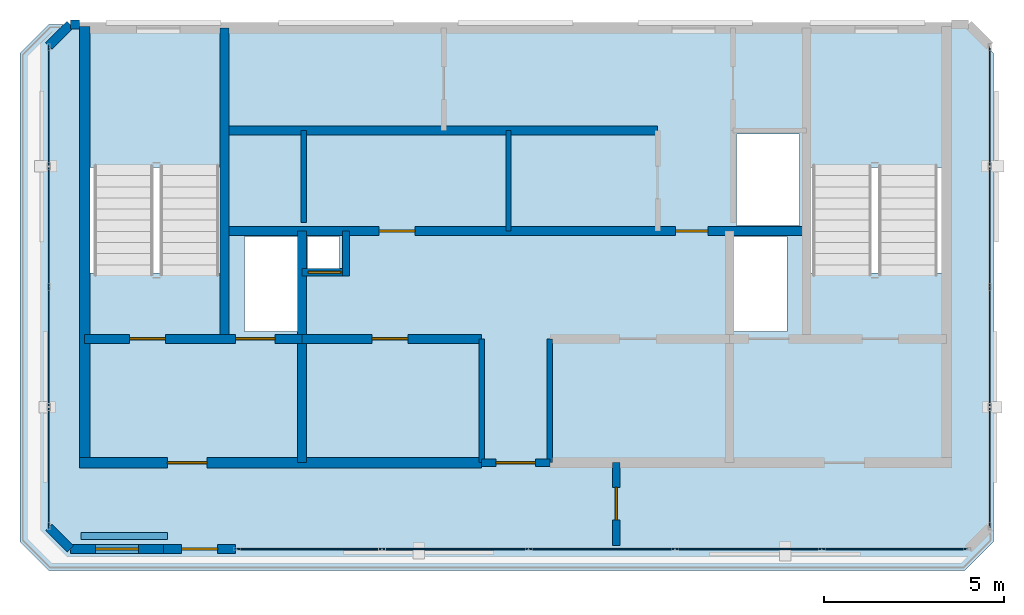
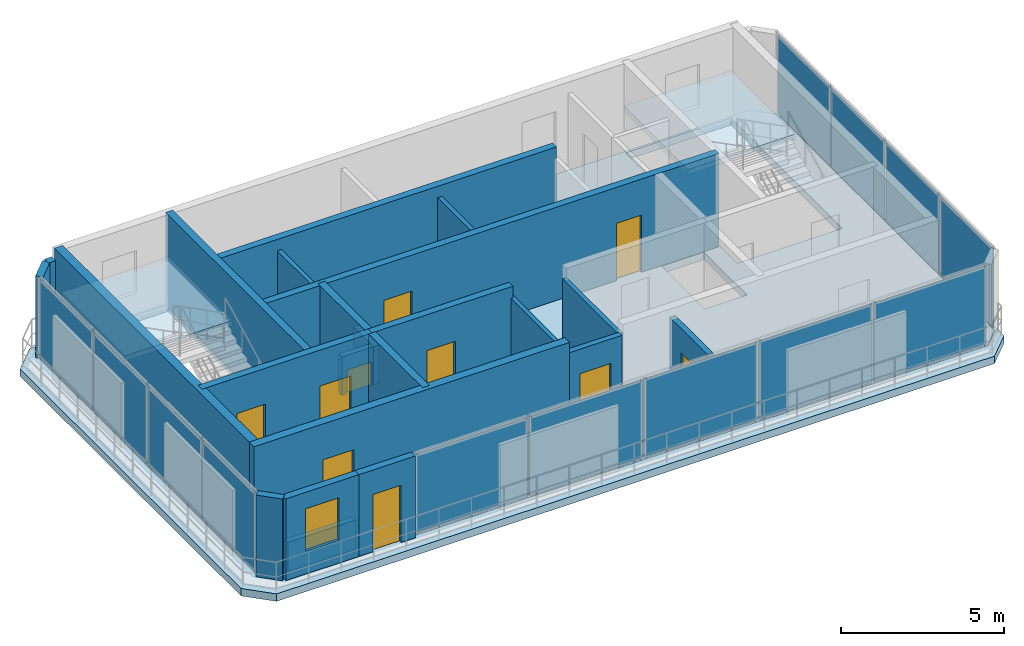
# One storey, part 5 of 7: 22 walls, 13 plates, 10 doors, 4 slabs, 1 window, 11 openings, 5 elements without a shape of their own.
"""IFC4 building model written with IfcOpenShell, lengths in metres."""

from ifc_helpers import new_model, si_unit, direction, frame, frame_2d, origin, origin_2d, place, context, subcontext, project, spatial, polyline, rectangle, outline, extrude, material, layer, layer_set, type_object, element, fill, aggregate, save


model = new_model("IFC4")

# Units and contexts
model_context = context("Model", 3, precision=1e-05, world=origin(), true_north=direction((0.0, 1.0)))
body_context = subcontext(model_context, "Body", "Model", "MODEL_VIEW")
ifc_project = project(units=[si_unit("LENGTHUNIT", "METRE"), si_unit("AREAUNIT", "SQUARE_METRE"), si_unit("VOLUMEUNIT", "CUBIC_METRE"), si_unit("PLANEANGLEUNIT", "RADIAN"), si_unit("MASSUNIT", "GRAM", prefix="KILO")], contexts=[model_context])

# Site, building, storey
site_placement = place(None, origin())
site = spatial("IfcSite", under=ifc_project, at=site_placement, CompositionType="ELEMENT")
building_placement = place(site_placement, origin())
building = spatial("IfcBuilding", under=site, at=building_placement, Name="Catumbela Crestline Tower", CompositionType="ELEMENT")
storey_placement = place(building_placement, frame((0.0, 0.0, 315.0)))
storey = spatial("IfcBuildingStorey", under=building, at=storey_placement, Name="L81", CompositionType="ELEMENT", Elevation=315.0)

# Curtain wall, plates
ifc_material_1 = material(Name="Aluminium alloy AW-6060-T66", Category="aluminium")
ifc_layer_1 = layer(ifc_material_1, 0.18, Name="Aluminium alloy AW-6060-T66")
ifc_layer_set_1 = layer_set([ifc_layer_1], Name="Aluminium alloy AW-6060-T66")
curtain_wall_type = type_object("IfcCurtainWallType", Name="CWS-OBS", PredefinedType="USERDEFINED", material=ifc_layer_set_1)
curtain_wall_1_placement = place(storey_placement, origin())
curtain_wall_1 = element("IfcCurtainWall", 1, at=curtain_wall_1_placement, inside=storey, type_object=curtain_wall_type, Name="L81 Stick Curtain Wall CW-L81-E0S2", ObjectType="STICK", PredefinedType="USERDEFINED")
ifc_material_2 = material(Name="Low-E laminated solar-control double glazing", Category="glass")
ifc_layer_2 = layer(ifc_material_2, 0.036, Name="Low-E laminated solar-control double glazing")
ifc_layer_set_2 = layer_set([ifc_layer_2], Name="Low-E laminated solar-control double glazing")
plate_type = type_object("IfcPlateType", Name="PNL-GLZ-OB", PredefinedType="CURTAIN_PANEL", material=ifc_layer_set_2)
plate_1_placement = place(storey_placement, frame((22.2562, 28.4, 0.06), z_axis=(0.0, 0.0, 1.0), x_axis=(1.0, 0.0, 0.0)))
plate_1 = element("IfcPlate", 2, at=plate_1_placement, type_object=plate_type, Name="CWS-OBS panel 1.1", PredefinedType="CURTAIN_PANEL", context=body_context, shape_type="SweptSolid", body=[
    extrude(rectangle(XDim=3.9825, YDim=0.034, at=origin_2d()), origin(), (0.0, 0.0, 1.0), 2.95),
])
plate_2_placement = place(storey_placement, frame((26.32, 28.4, 0.06), z_axis=(0.0, 0.0, 1.0), x_axis=(1.0, 0.0, 0.0)))
plate_2 = element("IfcPlate", 3, at=plate_2_placement, type_object=plate_type, Name="CWS-OBS panel 2.1", PredefinedType="CURTAIN_PANEL", context=body_context, shape_type="SweptSolid", body=[
    extrude(rectangle(XDim=4.015, YDim=0.034, at=origin_2d()), origin(), (0.0, 0.0, 1.0), 2.95),
])
plate_3_placement = place(storey_placement, frame((30.4, 28.4, 0.06), z_axis=(0.0, 0.0, 1.0), x_axis=(1.0, 0.0, 0.0)))
plate_3 = element("IfcPlate", 4, at=plate_3_placement, type_object=plate_type, Name="CWS-OBS panel 3.1", PredefinedType="CURTAIN_PANEL", context=body_context, shape_type="SweptSolid", body=[
    extrude(rectangle(XDim=4.015, YDim=0.034, at=origin_2d()), origin(), (0.0, 0.0, 1.0), 2.95),
])
plate_4_placement = place(storey_placement, frame((34.48, 28.4, 0.06), z_axis=(0.0, 0.0, 1.0), x_axis=(1.0, 0.0, 0.0)))
plate_4 = element("IfcPlate", 5, at=plate_4_placement, type_object=plate_type, Name="CWS-OBS panel 4.1", PredefinedType="CURTAIN_PANEL", context=body_context, shape_type="SweptSolid", body=[
    extrude(rectangle(XDim=4.015, YDim=0.034, at=origin_2d()), origin(), (0.0, 0.0, 1.0), 2.95),
])
plate_5_placement = place(storey_placement, frame((38.5438, 28.4, 0.06), z_axis=(0.0, 0.0, 1.0), x_axis=(1.0, 0.0, 0.0)))
plate_5 = element("IfcPlate", 6, at=plate_5_placement, type_object=plate_type, Name="CWS-OBS panel 5.1", PredefinedType="CURTAIN_PANEL", context=body_context, shape_type="SweptSolid", body=[
    extrude(rectangle(XDim=3.9825, YDim=0.034, at=origin_2d()), origin(), (0.0, 0.0, 1.0), 2.95),
])
aggregate(curtain_wall_1, [plate_1, plate_2, plate_3, plate_4, plate_5])

curtain_wall_2_placement = place(storey_placement, origin())
curtain_wall_2 = element("IfcCurtainWall", 7, at=curtain_wall_2_placement, inside=storey, type_object=curtain_wall_type, Name="L81 Stick Curtain Wall CW-L81-E2S1", ObjectType="STICK", PredefinedType="USERDEFINED")
plate_6_placement = place(storey_placement, frame((41.2, 30.6912, 0.06), z_axis=(0.0, 0.0, 1.0), x_axis=(0.0, 1.0, 0.0)))
plate_6 = element("IfcPlate", 8, at=plate_6_placement, type_object=plate_type, Name="CWS-OBS panel 1.1", PredefinedType="CURTAIN_PANEL", context=body_context, shape_type="SweptSolid", body=[
    extrude(rectangle(XDim=3.2525, YDim=0.034, at=origin_2d()), origin(), (0.0, 0.0, 1.0), 2.95),
])
plate_7_placement = place(storey_placement, frame((41.2, 34.025, 0.06), z_axis=(0.0, 0.0, 1.0), x_axis=(0.0, 1.0, 0.0)))
plate_7 = element("IfcPlate", 9, at=plate_7_placement, type_object=plate_type, Name="CWS-OBS panel 2.1", PredefinedType="CURTAIN_PANEL", context=body_context, shape_type="SweptSolid", body=[
    extrude(rectangle(XDim=3.285, YDim=0.034, at=origin_2d()), origin(), (0.0, 0.0, 1.0), 2.95),
])
plate_8_placement = place(storey_placement, frame((41.2, 37.375, 0.06), z_axis=(0.0, 0.0, 1.0), x_axis=(0.0, 1.0, 0.0)))
plate_8 = element("IfcPlate", 10, at=plate_8_placement, type_object=plate_type, Name="CWS-OBS panel 3.1", PredefinedType="CURTAIN_PANEL", context=body_context, shape_type="SweptSolid", body=[
    extrude(rectangle(XDim=3.285, YDim=0.034, at=origin_2d()), origin(), (0.0, 0.0, 1.0), 2.95),
])
plate_9_placement = place(storey_placement, frame((41.2, 40.7088, 0.06), z_axis=(0.0, 0.0, 1.0), x_axis=(0.0, 1.0, 0.0)))
plate_9 = element("IfcPlate", 11, at=plate_9_placement, type_object=plate_type, Name="CWS-OBS panel 4.1", PredefinedType="CURTAIN_PANEL", context=body_context, shape_type="SweptSolid", body=[
    extrude(rectangle(XDim=3.2525, YDim=0.034, at=origin_2d()), origin(), (0.0, 0.0, 1.0), 2.95),
])
aggregate(curtain_wall_2, [plate_6, plate_7, plate_8, plate_9])

curtain_wall_3_placement = place(storey_placement, origin())
curtain_wall_3 = element("IfcCurtainWall", 12, at=curtain_wall_3_placement, inside=storey, type_object=curtain_wall_type, Name="L81 Stick Curtain Wall CW-L81-E6S1", ObjectType="STICK", PredefinedType="USERDEFINED")
plate_10_placement = place(storey_placement, frame((15.0, 40.7088, 0.06), z_axis=(0.0, 0.0, 1.0), x_axis=(0.0, -1.0, 0.0)))
plate_10 = element("IfcPlate", 13, at=plate_10_placement, type_object=plate_type, Name="CWS-OBS panel 1.1", PredefinedType="CURTAIN_PANEL", context=body_context, shape_type="SweptSolid", body=[
    extrude(rectangle(XDim=3.2525, YDim=0.034, at=origin_2d()), origin(), (0.0, 0.0, 1.0), 2.95),
])
plate_11_placement = place(storey_placement, frame((15.0, 37.375, 0.06), z_axis=(0.0, 0.0, 1.0), x_axis=(0.0, -1.0, 0.0)))
plate_11 = element("IfcPlate", 14, at=plate_11_placement, type_object=plate_type, Name="CWS-OBS panel 2.1", PredefinedType="CURTAIN_PANEL", context=body_context, shape_type="SweptSolid", body=[
    extrude(rectangle(XDim=3.285, YDim=0.034, at=origin_2d()), origin(), (0.0, 0.0, 1.0), 2.95),
])
plate_12_placement = place(storey_placement, frame((15.0, 34.025, 0.06), z_axis=(0.0, 0.0, 1.0), x_axis=(0.0, -1.0, 0.0)))
plate_12 = element("IfcPlate", 15, at=plate_12_placement, type_object=plate_type, Name="CWS-OBS panel 3.1", PredefinedType="CURTAIN_PANEL", context=body_context, shape_type="SweptSolid", body=[
    extrude(rectangle(XDim=3.285, YDim=0.034, at=origin_2d()), origin(), (0.0, 0.0, 1.0), 2.95),
])
plate_13_placement = place(storey_placement, frame((15.0, 30.6912, 0.06), z_axis=(0.0, 0.0, 1.0), x_axis=(0.0, -1.0, 0.0)))
plate_13 = element("IfcPlate", 16, at=plate_13_placement, type_object=plate_type, Name="CWS-OBS panel 4.1", PredefinedType="CURTAIN_PANEL", context=body_context, shape_type="SweptSolid", body=[
    extrude(rectangle(XDim=3.2525, YDim=0.034, at=origin_2d()), origin(), (0.0, 0.0, 1.0), 2.95),
])
aggregate(curtain_wall_3, [plate_10, plate_11, plate_12, plate_13])

# Slabs
ifc_material_3 = material(Name="Concrete C45/55", Category="concrete")
ifc_layer_3 = layer(ifc_material_3, 0.28, Name="Concrete C45/55")
ifc_layer_set_3 = layer_set([ifc_layer_3], Name="Concrete C45/55")
slab_type_1 = type_object("IfcSlabType", Name="SL-280C", PredefinedType="FLOOR", material=ifc_layer_set_3)
slab_1_placement = place(storey_placement, frame((0.0, 0.0, -0.28)))
element("IfcSlab", 17, at=slab_1_placement, inside=storey, type_object=slab_type_1, Name="L81 Structural Floor Slab", PredefinedType="FLOOR", context=body_context, shape_type="SweptSolid", body=[
    extrude(outline(polyline([(15.6, 28.4), (40.6, 28.4), (41.2, 29.0), (41.2, 42.4), (40.6, 43.0), (15.6, 43.0), (15.0, 42.4), (15.0, 29.0), (15.6, 28.4)]), holes=[polyline([(16.13, 36.08), (19.87, 36.08), (19.87, 42.92), (16.13, 42.92), (16.13, 36.08)]), polyline([(36.13, 36.08), (39.87, 36.08), (39.87, 42.92), (36.13, 42.92), (36.13, 36.08)]), polyline([(20.45, 34.45), (21.95, 34.45), (21.95, 37.1), (20.45, 37.1), (20.45, 34.45)]), polyline([(34.05, 34.45), (35.55, 34.45), (35.55, 37.1), (34.05, 37.1), (34.05, 34.45)]), polyline([(34.15, 37.4), (35.9, 37.4), (35.9, 39.95), (34.15, 39.95), (34.15, 37.4)]), polyline([(22.2, 36.2), (23.1, 36.2), (23.1, 37.1), (22.2, 37.1), (22.2, 36.2)])]), origin(), (0.0, 0.0, 1.0), 0.28),
])
ifc_layer_4 = layer(ifc_material_3, 0.28, Name="Concrete C45/55")
ifc_layer_set_4 = layer_set([ifc_layer_4], Name="Concrete C45/55")
slab_type_2 = type_object("IfcSlabType", Name="SR-280C", PredefinedType="ROOF", material=ifc_layer_set_4)
slab_2_placement = place(storey_placement, frame((0.0, 0.0, -0.28)))
element("IfcSlab", 18, at=slab_2_placement, inside=storey, type_object=slab_type_2, Name="L81 Stepped Terrace Cap Roof Slab 1", PredefinedType="ROOF", context=body_context, shape_type="SweptSolid", body=[
    extrude(outline(polyline([(41.3, 28.6), (40.5, 27.8), (15.0, 27.8), (14.2, 28.6), (14.2, 42.2), (15.0, 43.0), (15.5859, 43.0), (14.99, 42.4041), (14.99, 28.9959), (15.5959, 28.39), (40.6041, 28.39), (41.21, 28.9959), (41.21, 42.29), (41.3, 42.2), (41.3, 28.6)])), origin(), (0.0, 0.0, 1.0), 0.28),
])

# Stair, slab
stair_type = type_object("IfcStairType", Name="ST-DLG", PredefinedType="HALF_TURN_STAIR", material=ifc_material_3)
stair_1_placement = place(storey_placement, origin())
stair_1 = element("IfcStair", 19, at=stair_1_placement, inside=storey, type_object=stair_type, Name="L81 West Core Pressurised Exit Stair ST-01", PredefinedType="HALF_TURN_STAIR")
ifc_layer_5 = layer(ifc_material_3, 0.2, Name="Concrete C45/55")
ifc_layer_set_5 = layer_set([ifc_layer_5], Name="Concrete C45/55")
slab_type_3 = type_object("IfcSlabType", Name="SL-LND", PredefinedType="LANDING", material=ifc_layer_set_5)
slab_3_placement = place(storey_placement, frame((0.0, 0.0, 1.55)))
slab_3 = element("IfcSlab", 20, at=slab_3_placement, type_object=slab_type_3, Name="ST-01 landing 1", PredefinedType="LANDING", context=body_context, shape_type="SweptSolid", body=[
    extrude(outline(polyline([(19.91, 39.02), (19.91, 42.96), (16.09, 42.96), (16.09, 39.02), (19.91, 39.02)])), origin(), (0.0, 0.0, 1.0), 0.2),
])
aggregate(stair_1, [slab_3])

stair_2_placement = place(storey_placement, origin())
stair_2 = element("IfcStair", 21, at=stair_2_placement, inside=storey, type_object=stair_type, Name="L81 East Core Pressurised Exit Stair ST-02", PredefinedType="HALF_TURN_STAIR")
slab_4_placement = place(storey_placement, frame((0.0, 0.0, 1.55)))
slab_4 = element("IfcSlab", 22, at=slab_4_placement, type_object=slab_type_3, Name="ST-02 landing 1", PredefinedType="LANDING", context=body_context, shape_type="SweptSolid", body=[
    extrude(outline(polyline([(39.91, 39.02), (39.91, 42.96), (36.09, 42.96), (36.09, 39.02), (39.91, 39.02)])), origin(), (0.0, 0.0, 1.0), 0.2),
])
aggregate(stair_2, [slab_4])

# Walls
ifc_material_4 = material(Name="Concrete C50/60", Category="concrete")
ifc_layer_6 = layer(ifc_material_4, 0.25, Name="Concrete C50/60")
ifc_layer_set_6 = layer_set([ifc_layer_6], Name="Concrete C50/60")
wall_type_1 = type_object("IfcWallType", Name="CW-250D", PredefinedType="SHEAR", material=ifc_layer_set_6)
wall_1_placement = place(storey_placement, frame((19.9, 34.25, 0.0), z_axis=(0.0, 0.0, 1.0), x_axis=(0.0, 1.0, 0.0)))
element("IfcWall", 23, at=wall_1_placement, inside=storey, type_object=wall_type_1, Name="L81 Structural Core Shear Wall WWEB", PredefinedType="SHEAR", context=body_context, shape_type="SweptSolid", body=[
    extrude(rectangle(XDim=8.65, YDim=0.25, at=frame_2d((4.325, 0.0))), origin(), (0.0, 0.0, 1.0), 3.5),
])
wall_2_placement = place(storey_placement, frame((22.05, 30.8, 0.0), z_axis=(0.0, 0.0, 1.0), x_axis=(0.0, 1.0, 0.0)))
element("IfcWall", 24, at=wall_2_placement, inside=storey, type_object=wall_type_1, Name="L81 Structural Core Shear Wall FFW", PredefinedType="SHEAR", context=body_context, shape_type="SweptSolid", body=[
    extrude(rectangle(XDim=6.45, YDim=0.25, at=frame_2d((3.225, 0.0))), origin(), (0.0, 0.0, 1.0), 3.5),
])

# Wall, openings, doors
wall_3_placement = place(storey_placement, frame((16.0, 34.25, 0.0), z_axis=(0.0, 0.0, 1.0), x_axis=(1.0, 0.0, 0.0)))
wall_3 = element("IfcWall", 25, at=wall_3_placement, inside=storey, type_object=wall_type_1, Name="L81 Structural Core Shear Wall ST1S", PredefinedType="SHEAR", context=body_context, shape_type="SweptSolid", body=[
    extrude(rectangle(XDim=6.05, YDim=0.25, at=frame_2d((3.025, 0.0))), origin(), (0.0, 0.0, 1.0), 3.5),
])
opening_1_placement = place(wall_3_placement, frame((1.25, 0.0, 0.0)))
opening_1 = element("IfcOpeningElement", 26, at=opening_1_placement, cuts=wall_3, Name="Opening DF9-100", PredefinedType="OPENING", context=body_context, shape_type="SweptSolid", body=[
    extrude(rectangle(XDim=1.0, YDim=2.15, at=frame_2d((0.5, 1.075))), frame((0.0, 0.135, 0.0), z_axis=(0.0, -1.0, 0.0), x_axis=(1.0, 0.0, 0.0)), (0.0, 0.0, 1.0), 0.27),
])
opening_2_placement = place(wall_3_placement, frame((4.2, 0.0, 0.0)))
opening_2 = element("IfcOpeningElement", 27, at=opening_2_placement, cuts=wall_3, Name="Opening LD-110", PredefinedType="OPENING", context=body_context, shape_type="SweptSolid", body=[
    extrude(rectangle(XDim=1.1, YDim=2.15, at=frame_2d((0.55, 1.075))), frame((0.0, 0.135, 0.0), z_axis=(0.0, -1.0, 0.0), x_axis=(1.0, 0.0, 0.0)), (0.0, 0.0, 1.0), 0.27),
])
ifc_material_5 = material(Name="Stainless steel EN 1.4401", Category="steel")
door_type_1 = type_object("IfcDoorType", Name="DF9-100", OperationType="NOTDEFINED", PredefinedType="DOOR", material=ifc_material_5)
door_1_placement = place(opening_1_placement, origin())
door_1 = element("IfcDoor", 28, at=door_1_placement, inside=storey, type_object=door_type_1, Name="L81 Interior Door DR-L81-ST01", OperationType="SINGLE_SWING_LEFT", OverallHeight=2.15, OverallWidth=1.0, PredefinedType="DOOR", context=body_context, shape_type="SweptSolid", body=[
    extrude(rectangle(XDim=1.0, YDim=2.15, at=frame_2d((0.5, 1.075))), frame((0.0, 0.025, 0.0), z_axis=(0.0, -1.0, 0.0), x_axis=(1.0, 0.0, 0.0)), (0.0, 0.0, 1.0), 0.05),
])
fill(opening_1, door_1)
door_type_2 = type_object("IfcDoorType", Name="LD-110", OperationType="NOTDEFINED", PredefinedType="DOOR", material=ifc_material_5)
door_2_placement = place(opening_2_placement, origin())
door_2 = element("IfcDoor", 29, at=door_2_placement, inside=storey, type_object=door_type_2, Name="L81 Lift Landing Sliding Door FL-01", OperationType="DOUBLE_DOOR_SLIDING", OverallHeight=2.15, OverallWidth=1.1, PredefinedType="DOOR", context=body_context, shape_type="SweptSolid", body=[
    extrude(rectangle(XDim=1.1, YDim=2.15, at=frame_2d((0.55, 1.075))), frame((0.0, 0.025, 0.0), z_axis=(0.0, -1.0, 0.0), x_axis=(1.0, 0.0, 0.0)), (0.0, 0.0, 1.0), 0.05),
])
fill(opening_2, door_2)

# Wall, opening, door
wall_4_placement = place(storey_placement, frame((22.05, 34.25, 0.0), z_axis=(0.0, 0.0, 1.0), x_axis=(1.0, 0.0, 0.0)))
wall_4 = element("IfcWall", 30, at=wall_4_placement, inside=storey, type_object=wall_type_1, Name="L81 Structural Core Shear Wall LIFTS-W", PredefinedType="SHEAR", context=body_context, shape_type="SweptSolid", body=[
    extrude(rectangle(XDim=5.0, YDim=0.25, at=frame_2d((2.5, 0.0))), origin(), (0.0, 0.0, 1.0), 3.5),
])
opening_3_placement = place(wall_4_placement, frame((1.95, 0.0, 0.0)))
opening_3 = element("IfcOpeningElement", 31, at=opening_3_placement, cuts=wall_4, Name="Opening DF9-100", PredefinedType="OPENING", context=body_context, shape_type="SweptSolid", body=[
    extrude(rectangle(XDim=1.0, YDim=2.15, at=frame_2d((0.5, 1.075))), frame((0.0, 0.135, 0.0), z_axis=(0.0, -1.0, 0.0), x_axis=(1.0, 0.0, 0.0)), (0.0, 0.0, 1.0), 0.27),
])
door_3_placement = place(opening_3_placement, origin())
door_3 = element("IfcDoor", 32, at=door_3_placement, inside=storey, type_object=door_type_1, Name="L81 Interior Door DR-L81-RECL1", OperationType="SINGLE_SWING_LEFT", OverallHeight=2.15, OverallWidth=1.0, PredefinedType="DOOR", context=body_context, shape_type="SweptSolid", body=[
    extrude(rectangle(XDim=1.0, YDim=2.15, at=frame_2d((0.5, 1.075))), frame((0.0, 0.025, 0.0), z_axis=(0.0, -1.0, 0.0), x_axis=(1.0, 0.0, 0.0)), (0.0, 0.0, 1.0), 0.05),
])
fill(opening_3, door_3)

# Wall, openings, doors
wall_5_placement = place(storey_placement, frame((19.9, 37.25, 0.0), z_axis=(0.0, 0.0, 1.0), x_axis=(1.0, 0.0, 0.0)))
wall_5 = element("IfcWall", 33, at=wall_5_placement, inside=storey, type_object=wall_type_1, Name="L81 Structural Core Shear Wall LIFTN", PredefinedType="SHEAR", context=body_context, shape_type="SweptSolid", body=[
    extrude(rectangle(XDim=16.2, YDim=0.25, at=frame_2d((8.1, 0.0))), origin(), (0.0, 0.0, 1.0), 3.5),
])
opening_4_placement = place(wall_5_placement, frame((4.3, 0.0, 0.0)))
opening_4 = element("IfcOpeningElement", 34, at=opening_4_placement, cuts=wall_5, Name="Opening DF9-100", PredefinedType="OPENING", context=body_context, shape_type="SweptSolid", body=[
    extrude(rectangle(XDim=1.0, YDim=2.15, at=frame_2d((0.5, 1.075))), frame((0.0, 0.135, 0.0), z_axis=(0.0, -1.0, 0.0), x_axis=(1.0, 0.0, 0.0)), (0.0, 0.0, 1.0), 0.27),
])
opening_5_placement = place(wall_5_placement, frame((12.55, 0.0, 0.0)))
opening_5 = element("IfcOpeningElement", 35, at=opening_5_placement, cuts=wall_5, Name="Opening DF9-090", PredefinedType="OPENING", context=body_context, shape_type="SweptSolid", body=[
    extrude(rectangle(XDim=0.9, YDim=2.15, at=frame_2d((0.45, 1.075))), frame((0.0, 0.135, 0.0), z_axis=(0.0, -1.0, 0.0), x_axis=(1.0, 0.0, 0.0)), (0.0, 0.0, 1.0), 0.27),
])
door_type_3 = type_object("IfcDoorType", Name="DF9-090", OperationType="NOTDEFINED", PredefinedType="DOOR", material=ifc_material_5)
door_4_placement = place(opening_5_placement, origin())
door_4 = element("IfcDoor", 36, at=door_4_placement, inside=storey, type_object=door_type_3, Name="L81 Interior Door DR-L81-CPAS1", OperationType="SINGLE_SWING_LEFT", OverallHeight=2.15, OverallWidth=0.9, PredefinedType="DOOR", context=body_context, shape_type="SweptSolid", body=[
    extrude(rectangle(XDim=0.9, YDim=2.15, at=frame_2d((0.45, 1.075))), frame((0.0, 0.025, 0.0), z_axis=(0.0, -1.0, 0.0), x_axis=(1.0, 0.0, 0.0)), (0.0, 0.0, 1.0), 0.05),
])
fill(opening_5, door_4)
door_5_placement = place(opening_4_placement, origin())
door_5 = element("IfcDoor", 37, at=door_5_placement, inside=storey, type_object=door_type_1, Name="L81 Interior Door DR-L81-RECL3", OperationType="SINGLE_SWING_LEFT", OverallHeight=2.15, OverallWidth=1.0, PredefinedType="DOOR", context=body_context, shape_type="SweptSolid", body=[
    extrude(rectangle(XDim=1.0, YDim=2.15, at=frame_2d((0.5, 1.075))), frame((0.0, 0.025, 0.0), z_axis=(0.0, -1.0, 0.0), x_axis=(1.0, 0.0, 0.0)), (0.0, 0.0, 1.0), 0.05),
])
fill(opening_4, door_5)

# Walls
wall_6_placement = place(storey_placement, frame((19.9, 40.05, 0.0), z_axis=(0.0, 0.0, 1.0), x_axis=(1.0, 0.0, 0.0)))
element("IfcWall", 38, at=wall_6_placement, inside=storey, type_object=wall_type_1, Name="L81 Structural Core Shear Wall COREN", PredefinedType="SHEAR", context=body_context, shape_type="SweptSolid", body=[
    extrude(rectangle(XDim=12.05, YDim=0.25, at=frame_2d((6.025, 0.0))), origin(), (0.0, 0.0, 1.0), 3.5),
])
ifc_layer_7 = layer(ifc_material_3, 0.3, Name="Concrete C45/55")
ifc_layer_set_7 = layer_set([ifc_layer_7], Name="Concrete C45/55")
wall_type_2 = type_object("IfcWallType", Name="CW-300C", PredefinedType="SHEAR", material=ifc_layer_set_7)
wall_7_placement = place(storey_placement, frame((16.0, 30.65, 0.0), z_axis=(0.0, 0.0, 1.0), x_axis=(0.0, 1.0, 0.0)))
element("IfcWall", 39, at=wall_7_placement, inside=storey, type_object=wall_type_2, Name="L81 Structural Core Shear Wall W", PredefinedType="SHEAR", context=body_context, shape_type="SweptSolid", body=[
    extrude(rectangle(XDim=12.3, YDim=0.3, at=frame_2d((6.15, 0.0))), origin(), (0.0, 0.0, 1.0), 3.5),
])

# Wall, opening, door
wall_8_placement = place(storey_placement, frame((15.85, 30.8, 0.0), z_axis=(0.0, 0.0, 1.0), x_axis=(1.0, 0.0, 0.0)))
wall_8 = element("IfcWall", 40, at=wall_8_placement, inside=storey, type_object=wall_type_2, Name="L81 Structural Core Shear Wall SW", PredefinedType="SHEAR", context=body_context, shape_type="SweptSolid", body=[
    extrude(rectangle(XDim=11.2, YDim=0.3, at=frame_2d((5.6, 0.0))), origin(), (0.0, 0.0, 1.0), 3.5),
])
opening_6_placement = place(wall_8_placement, frame((2.45, 0.0, 0.0)))
opening_6 = element("IfcOpeningElement", 41, at=opening_6_placement, cuts=wall_8, Name="Opening DF9-110", PredefinedType="OPENING", context=body_context, shape_type="SweptSolid", body=[
    extrude(rectangle(XDim=1.1, YDim=2.15, at=frame_2d((0.55, 1.075))), frame((0.0, 0.16, 0.0), z_axis=(0.0, -1.0, 0.0), x_axis=(1.0, 0.0, 0.0)), (0.0, 0.0, 1.0), 0.32),
])
door_type_4 = type_object("IfcDoorType", Name="DF9-110", OperationType="NOTDEFINED", PredefinedType="DOOR", material=ifc_material_5)
door_6_placement = place(opening_6_placement, origin())
door_6 = element("IfcDoor", 42, at=door_6_placement, inside=storey, type_object=door_type_4, Name="L81 Interior Door DR-L81-FFW-S", OperationType="SINGLE_SWING_LEFT", OverallHeight=2.15, OverallWidth=1.1, PredefinedType="DOOR", context=body_context, shape_type="SweptSolid", body=[
    extrude(rectangle(XDim=1.1, YDim=2.15, at=frame_2d((0.55, 1.075))), frame((0.0, 0.025, 0.0), z_axis=(0.0, -1.0, 0.0), x_axis=(1.0, 0.0, 0.0)), (0.0, 0.0, 1.0), 0.05),
])
fill(opening_6, door_6)

ifc_material_6 = material(Name="Acoustic gypsum and mineral-wool partition")
ifc_layer_8 = layer(ifc_material_6, 0.2, Name="Acoustic gypsum and mineral-wool partition")
ifc_layer_set_8 = layer_set([ifc_layer_8], Name="Acoustic gypsum and mineral-wool partition")
wall_type_3 = type_object("IfcWallType", Name="WC-200", PredefinedType="PARTITIONING", material=ifc_layer_set_8)
wall_9_placement = place(storey_placement, frame((27.05, 30.8, 0.0), z_axis=(0.0, 0.0, 1.0), x_axis=(1.0, 0.0, 0.0)))
wall_9 = element("IfcWall", 43, at=wall_9_placement, inside=storey, type_object=wall_type_3, Name="L81 Interior Partition PW-L81-CLOBS", PredefinedType="PARTITIONING", context=body_context, shape_type="SweptSolid", body=[
    extrude(rectangle(XDim=1.9, YDim=0.2, at=frame_2d((0.95, 0.0))), origin(), (0.0, 0.0, 1.0), 3.07),
])
opening_7_placement = place(wall_9_placement, frame((0.4, 0.0, 0.0)))
opening_7 = element("IfcOpeningElement", 44, at=opening_7_placement, cuts=wall_9, Name="Opening DF9-110", PredefinedType="OPENING", context=body_context, shape_type="SweptSolid", body=[
    extrude(rectangle(XDim=1.1, YDim=2.15, at=frame_2d((0.55, 1.075))), frame((0.0, 0.11, 0.0), z_axis=(0.0, -1.0, 0.0), x_axis=(1.0, 0.0, 0.0)), (0.0, 0.0, 1.0), 0.22),
])
door_7_placement = place(opening_7_placement, origin())
door_7 = element("IfcDoor", 45, at=door_7_placement, inside=storey, type_object=door_type_4, Name="L81 Interior Door DR-L81-CLOBS", OperationType="SINGLE_SWING_LEFT", OverallHeight=2.15, OverallWidth=1.1, PredefinedType="DOOR", context=body_context, shape_type="SweptSolid", body=[
    extrude(rectangle(XDim=1.1, YDim=2.15, at=frame_2d((0.55, 1.075))), frame((0.0, 0.025, 0.0), z_axis=(0.0, -1.0, 0.0), x_axis=(1.0, 0.0, 0.0)), (0.0, 0.0, 1.0), 0.05),
])
fill(opening_7, door_7)

wall_10_placement = place(storey_placement, frame((30.8, 28.5, 0.0), z_axis=(0.0, 0.0, 1.0), x_axis=(0.0, 1.0, 0.0)))
wall_10 = element("IfcWall", 46, at=wall_10_placement, inside=storey, type_object=wall_type_3, Name="L81 Interior Partition PW-L81-CRPLT", PredefinedType="PARTITIONING", context=body_context, shape_type="SweptSolid", body=[
    extrude(rectangle(XDim=2.3, YDim=0.2, at=frame_2d((1.15, 0.0))), origin(), (0.0, 0.0, 1.0), 3.07),
])
opening_8_placement = place(wall_10_placement, frame((0.71, 0.0, 0.0)))
opening_8 = element("IfcOpeningElement", 47, at=opening_8_placement, cuts=wall_10, Name="Opening DF9-090", PredefinedType="OPENING", context=body_context, shape_type="SweptSolid", body=[
    extrude(rectangle(XDim=0.9, YDim=2.15, at=frame_2d((0.45, 1.075))), frame((0.0, 0.11, 0.0), z_axis=(0.0, -1.0, 0.0), x_axis=(1.0, 0.0, 0.0)), (0.0, 0.0, 1.0), 0.22),
])
door_8_placement = place(opening_8_placement, origin())
door_8 = element("IfcDoor", 48, at=door_8_placement, inside=storey, type_object=door_type_3, Name="L81 Interior Door DR-L81-CRPLT", OperationType="SINGLE_SWING_RIGHT", OverallHeight=2.15, OverallWidth=0.9, PredefinedType="DOOR", context=body_context, shape_type="SweptSolid", body=[
    extrude(rectangle(XDim=0.9, YDim=2.15, at=frame_2d((0.45, 1.075))), frame((0.0, 0.025, 0.0), z_axis=(0.0, -1.0, 0.0), x_axis=(1.0, 0.0, 0.0)), (0.0, 0.0, 1.0), 0.05),
])
fill(opening_8, door_8)

ifc_material_7 = material(Name="Angolan grey-ochre granite", Category="masonry")
ifc_layer_9 = layer(ifc_material_7, 0.25, Name="Angolan grey-ochre granite")
ifc_layer_set_9 = layer_set([ifc_layer_9], Name="Angolan grey-ochre granite")
wall_type_4 = type_object("IfcWallType", Name="WE-250", PredefinedType="STANDARD", material=ifc_layer_set_9)
wall_11_placement = place(storey_placement, frame((18.2, 28.4, 0.0), z_axis=(0.0, 0.0, 1.0), x_axis=(1.0, 0.0, 0.0)))
wall_11 = element("IfcWall", 49, at=wall_11_placement, inside=storey, type_object=wall_type_4, Name="L81 Exterior Threshold Portal Wall DR-L81-STEP-S1", PredefinedType="STANDARD", context=body_context, shape_type="SweptSolid", body=[
    extrude(rectangle(XDim=2.0, YDim=0.25, at=frame_2d((1.0, 0.0))), origin(), (0.0, 0.0, 1.0), 3.07),
])
opening_9_placement = place(wall_11_placement, frame((0.5, 0.0, 0.0)))
opening_9 = element("IfcOpeningElement", 50, at=opening_9_placement, cuts=wall_11, Name="Opening DT-L81", PredefinedType="OPENING", context=body_context, shape_type="SweptSolid", body=[
    extrude(rectangle(XDim=1.0, YDim=2.15, at=frame_2d((0.5, 1.075))), frame((0.0, 0.135, 0.0), z_axis=(0.0, -1.0, 0.0), x_axis=(1.0, 0.0, 0.0)), (0.0, 0.0, 1.0), 0.27),
])
door_type_5 = type_object("IfcDoorType", Name="DB-1000", OperationType="NOTDEFINED", PredefinedType="DOOR", material=ifc_material_1)
door_9_placement = place(opening_9_placement, origin())
door_9 = element("IfcDoor", 51, at=door_9_placement, inside=storey, type_object=door_type_5, Name="L81 Stepped Terrace Access Door", OperationType="SINGLE_SWING_LEFT", OverallHeight=2.15, OverallWidth=1.0, PredefinedType="DOOR", context=body_context, shape_type="SweptSolid", body=[
    extrude(rectangle(XDim=1.0, YDim=2.15, at=frame_2d((0.5, 1.075))), frame((0.0, 0.025, 0.0), z_axis=(0.0, -1.0, 0.0), x_axis=(1.0, 0.0, 0.0)), (0.0, 0.0, 1.0), 0.05),
])
fill(opening_9, door_9)

# Wall, opening, window
wall_12_placement = place(storey_placement, frame((15.6, 28.4, 0.0), z_axis=(0.0, 0.0, 1.0), x_axis=(1.0, 0.0, 0.0)))
wall_12 = element("IfcWall", 52, at=wall_12_placement, inside=storey, type_object=wall_type_4, Name="L81 Granite Punched Window Wall 0-1", PredefinedType="STANDARD", context=body_context, shape_type="SweptSolid", body=[
    extrude(rectangle(XDim=2.6, YDim=0.25, at=frame_2d((1.3, 0.0))), origin(), (0.0, 0.0, 1.0), 3.07),
])
opening_10_placement = place(wall_12_placement, frame((0.7, 0.0, 0.85)))
opening_10 = element("IfcOpeningElement", 53, at=opening_10_placement, cuts=wall_12, Name="Opening WN-02", PredefinedType="OPENING", context=body_context, shape_type="SweptSolid", body=[
    extrude(rectangle(XDim=1.2, YDim=1.6, at=frame_2d((0.6, 0.8))), frame((0.0, 0.135, 0.0), z_axis=(0.0, -1.0, 0.0), x_axis=(1.0, 0.0, 0.0)), (0.0, 0.0, 1.0), 0.27),
])
window_type = type_object("IfcWindowType", Name="WO-1200", PartitioningType="SINGLE_PANEL", PredefinedType="WINDOW", material=ifc_material_2)
window_placement = place(opening_10_placement, origin())
window = element("IfcWindow", 54, at=window_placement, inside=storey, type_object=window_type, Name="L81 Facade Vision Window 650", OverallHeight=1.6, OverallWidth=1.2, PartitioningType="SINGLE_PANEL", PredefinedType="WINDOW", context=body_context, shape_type="SweptSolid", body=[
    extrude(rectangle(XDim=1.2, YDim=1.6, at=frame_2d((0.6, 0.8))), frame((0.0, 0.03, 0.0), z_axis=(0.0, -1.0, 0.0), x_axis=(1.0, 0.0, 0.0)), (0.0, 0.0, 1.0), 0.06),
])
fill(opening_10, window)

# Walls
wall_13_placement = place(storey_placement, frame((15.86, 43.0, 0.0), z_axis=(0.0, 0.0, 1.0), x_axis=(-1.0, 0.0, 0.0)))
element("IfcWall", 55, at=wall_13_placement, inside=storey, type_object=wall_type_4, Name="L81 Granite Punched Window Wall 4-2", PredefinedType="STANDARD", context=body_context, shape_type="SweptSolid", body=[
    extrude(rectangle(XDim=0.26, YDim=0.25, at=frame_2d((0.13, 0.0))), origin(), (0.0, 0.0, 1.0), 3.07),
])
for number, where, z_axis, x_axis, name in (
    (56, (15.6, 43.0, 0.0), (0.0, 0.0, 1.0), (-0.707106781187, -0.707106781187, 0.0), "L81 Granite Punched Window Wall 5-1"),
    (57, (15.0, 29.0, 0.0), (0.0, 0.0, 1.0), (0.707106781187, -0.707106781187, 0.0), "L81 Granite Punched Window Wall 7-1"),
):
    element("IfcWall", number, at=place(storey_placement, frame(where, z_axis=z_axis, x_axis=x_axis)), inside=storey, type_object=wall_type_4, Name=name, PredefinedType="STANDARD", context=body_context, shape_type="SweptSolid", body=[
        extrude(rectangle(XDim=0.8485, YDim=0.25, at=frame_2d((0.4242, 0.0))), origin(), (0.0, 0.0, 1.0), 3.07),
    ])

# Wall, opening, door
ifc_material_8 = material(Name="Concrete C40/50", Category="concrete")
ifc_layer_10 = layer(ifc_material_8, 0.2, Name="Concrete C40/50")
ifc_layer_set_10 = layer_set([ifc_layer_10], Name="Concrete C40/50")
wall_type_5 = type_object("IfcWallType", Name="WK-200", PredefinedType="PARAPET", material=ifc_layer_set_10)
wall_14_placement = place(storey_placement, frame((22.05, 36.1, 0.0), z_axis=(0.0, 0.0, 1.0), x_axis=(1.0, 0.0, 0.0)))
wall_14 = element("IfcWall", 58, at=wall_14_placement, inside=storey, type_object=wall_type_5, Name="L81 Overrun Maintenance Access Bulkhead", PredefinedType="PARAPET", context=body_context, shape_type="SweptSolid", body=[
    extrude(rectangle(XDim=1.33, YDim=0.2, at=frame_2d((0.665, 0.0))), origin(), (0.0, 0.0, 1.0), 1.45),
])
opening_11_placement = place(wall_14_placement, frame((0.18, 0.0, 0.0)))
opening_11 = element("IfcOpeningElement", 59, at=opening_11_placement, cuts=wall_14, Name="Opening DH-05", PredefinedType="OPENING", context=body_context, shape_type="SweptSolid", body=[
    extrude(rectangle(XDim=0.9, YDim=0.9, at=frame_2d((0.45, 0.45))), frame((0.0, 0.11, 0.0), z_axis=(0.0, -1.0, 0.0), x_axis=(1.0, 0.0, 0.0)), (0.0, 0.0, 1.0), 0.22),
])
door_type_6 = type_object("IfcDoorType", Name="DH-0900", OperationType="NOTDEFINED", PredefinedType="TRAPDOOR", material=ifc_material_5)
door_10_placement = place(opening_11_placement, origin())
door_10 = element("IfcDoor", 60, at=door_10_placement, inside=storey, type_object=door_type_6, Name="L81 Maintenance Access Trapdoor 5", OperationType="SINGLE_SWING_LEFT", OverallHeight=0.9, OverallWidth=0.9, PredefinedType="TRAPDOOR", context=body_context, shape_type="SweptSolid", body=[
    extrude(rectangle(XDim=0.9, YDim=0.9, at=frame_2d((0.45, 0.45))), frame((0.0, 0.025, 0.0), z_axis=(0.0, -1.0, 0.0), x_axis=(1.0, 0.0, 0.0)), (0.0, 0.0, 1.0), 0.05),
])
fill(opening_11, door_10)

# Walls
wall_15_placement = place(storey_placement, frame((23.28, 36.0, 0.0), z_axis=(0.0, 0.0, 1.0), x_axis=(0.0, 1.0, 0.0)))
element("IfcWall", 61, at=wall_15_placement, inside=storey, type_object=wall_type_5, Name="L81 Overrun Maintenance Access East Kerb", PredefinedType="PARAPET", context=body_context, shape_type="SweptSolid", body=[
    extrude(rectangle(XDim=1.25, YDim=0.2, at=frame_2d((0.625, 0.0))), origin(), (0.0, 0.0, 1.0), 1.45),
])
ifc_layer_11 = layer(ifc_material_8, 0.2, Name="Concrete C40/50")
ifc_layer_set_11 = layer_set([ifc_layer_11], Name="Concrete C40/50")
wall_type_6 = type_object("IfcWallType", Name="WP-200", PredefinedType="PARAPET", material=ifc_layer_set_11)
wall_16_placement = place(storey_placement, frame((15.9, 28.76, 0.0), z_axis=(0.0, 0.0, 1.0), x_axis=(1.0, 0.0, 0.0)))
element("IfcWall", 62, at=wall_16_placement, inside=storey, type_object=wall_type_6, Name="L81 Crown Terrace Parapet Upstand 5", PredefinedType="PARAPET", context=body_context, shape_type="SweptSolid", body=[
    extrude(rectangle(XDim=2.4, YDim=0.2, at=frame_2d((1.2, 0.0))), origin(), (0.0, 0.0, 1.0), 1.1),
])
ifc_layer_12 = layer(ifc_material_6, 0.15, Name="Acoustic gypsum and mineral-wool partition")
ifc_layer_set_12 = layer_set([ifc_layer_12], Name="Acoustic gypsum and mineral-wool partition")
wall_type_7 = type_object("IfcWallType", Name="WS-150", PredefinedType="PLUMBINGWALL", material=ifc_layer_set_12)
for number, where, z_axis, x_axis, name in (
    (63, (27.05, 30.8, 0.0), (0.0, 0.0, 1.0), (0.0, 1.0, 0.0), "L81 Interior Partition PW-L81-THRW"),
    (64, (28.95, 30.8, 0.0), (0.0, 0.0, 1.0), (0.0, 1.0, 0.0), "L81 Interior Partition PW-L81-THRE"),
):
    element("IfcWall", number, at=place(storey_placement, frame(where, z_axis=z_axis, x_axis=x_axis)), inside=storey, type_object=wall_type_7, Name=name, PredefinedType="PLUMBINGWALL", context=body_context, shape_type="SweptSolid", body=[
        extrude(rectangle(XDim=3.45, YDim=0.15, at=frame_2d((1.725, 0.0))), origin(), (0.0, 0.0, 1.0), 3.07),
    ])
wall_17_placement = place(storey_placement, frame((22.1, 37.4897, 0.0), z_axis=(0.0, 0.0, 1.0), x_axis=(0.0, 1.0, 0.0)))
element("IfcWall", 65, at=wall_17_placement, inside=storey, type_object=wall_type_7, Name="L81 Interior Partition PW-L81-SHH0", PredefinedType="PLUMBINGWALL", context=body_context, shape_type="SweptSolid", body=[
    extrude(rectangle(XDim=2.5603, YDim=0.15, at=frame_2d((1.2801, 0.0))), origin(), (0.0, 0.0, 1.0), 3.07),
])
wall_18_placement = place(storey_placement, frame((27.8, 37.25, 0.0), z_axis=(0.0, 0.0, 1.0), x_axis=(0.0, 1.0, 0.0)))
element("IfcWall", 66, at=wall_18_placement, inside=storey, type_object=wall_type_7, Name="L81 Interior Partition PW-L81-SHH3", PredefinedType="PLUMBINGWALL", context=body_context, shape_type="SweptSolid", body=[
    extrude(rectangle(XDim=2.8, YDim=0.15, at=frame_2d((1.4, 0.0))), origin(), (0.0, 0.0, 1.0), 3.07),
])

save(model, "model.ifc")
